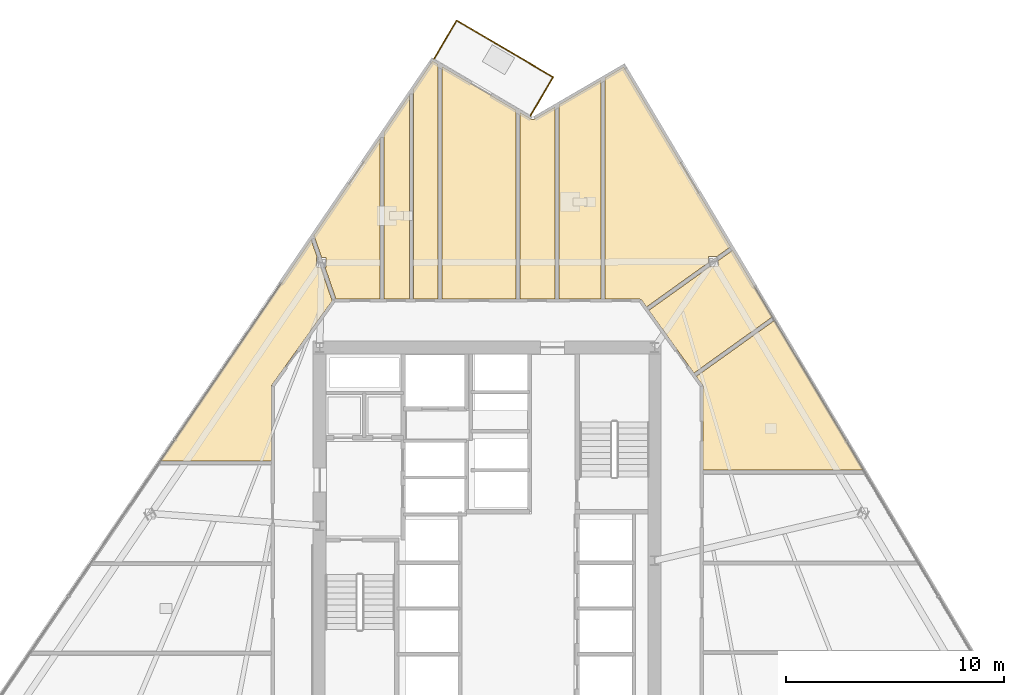
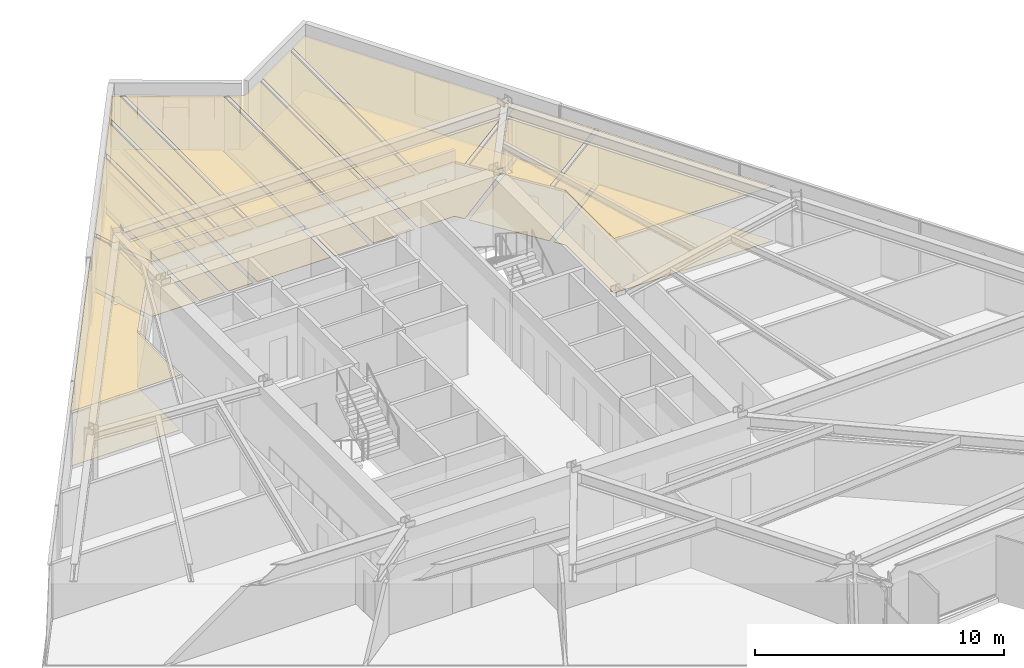
# One storey, part 15 of 16: 20 coverings, 3 railings.
"""IFC4 building model written with IfcOpenShell, lengths in metres."""

from ifc_helpers import new_model, si_unit, direction, frame, origin, origin_2d, place, context, subcontext, project, spatial, polyline, circle, outline, extrude, material, layer, layer_set, type_object, element, save


model = new_model("IFC4")

# Units and contexts
model_context = context("Model", 3, precision=1e-05, world=origin(), true_north=direction((0.0, 1.0)))
body_context = subcontext(model_context, "Body", "Model", "MODEL_VIEW")
ifc_project = project(units=[si_unit("LENGTHUNIT", "METRE"), si_unit("AREAUNIT", "SQUARE_METRE"), si_unit("VOLUMEUNIT", "CUBIC_METRE"), si_unit("PLANEANGLEUNIT", "RADIAN"), si_unit("MASSUNIT", "GRAM", prefix="KILO")], contexts=[model_context])

# Site, building, storey
site_placement = place(None, origin())
site = spatial("IfcSite", under=ifc_project, at=site_placement, CompositionType="ELEMENT")
building_placement = place(site_placement, origin())
building = spatial("IfcBuilding", under=site, at=building_placement, Name="Savorim Split Tower", CompositionType="ELEMENT")
storey_placement = place(building_placement, frame((0.0, 0.0, 66.0)))
storey = spatial("IfcBuildingStorey", under=building, at=storey_placement, Name="L17", CompositionType="ELEMENT", Elevation=66.0)

# Coverings
ifc_material_1 = material(Name="Mineral Fibre Acoustic Ceiling")
ifc_layer_1 = layer(ifc_material_1, 0.02490234375)
ifc_layer_set_1 = layer_set([ifc_layer_1], Name="COV-CEIL-25")
covering_type_1 = type_object("IfcCoveringType", Name="COV-CEIL-25", PredefinedType="CEILING", material=ifc_layer_set_1)
covering_1_placement = place(storey_placement, frame((0.0, 0.0, 2.669921875)))
element("IfcCovering", 1, at=covering_1_placement, inside=storey, type_object=covering_type_1, Name="L17 Community Laundry Room Acoustic Ceiling", PredefinedType="CEILING", context=body_context, shape_type="SweptSolid", body=[
    extrude(outline(polyline([(9.9169921875, 8.4287109375), (9.919189453125, 8.41455078125), (9.919921875, 8.39990234375), (9.919921875, 4.555419921875), (17.298828125, 4.555419921875), (13.2060546875, 11.438720703125), (9.6171875, 8.867431640625), (9.893798828125, 8.4814453125), (9.901611328125, 8.46923828125), (9.908203125, 8.456298828125), (9.913330078125, 8.44287109375), (9.9169921875, 8.4287109375)])), origin(), (0.0, 0.0, 1.0), 0.025146484375),
])
covering_2_placement = place(storey_placement, frame((0.0, 0.0, 2.669921875)))
element("IfcCovering", 2, at=covering_2_placement, inside=storey, type_object=covering_type_1, Name="L17 Quiet Study Room Acoustic Ceiling", PredefinedType="CEILING", context=body_context, shape_type="SweptSolid", body=[
    extrude(outline(polyline([(10.615966796875, 13.917724609375), (10.24560546875, 13.917724609375), (7.439208984375, 11.9072265625), (9.506591796875, 9.021728515625), (13.1083984375, 11.6025390625), (11.287841796875, 14.66455078125), (10.615966796875, 14.18310546875), (10.615966796875, 13.917724609375)])), origin(), (0.0, 0.0, 1.0), 0.025146484375),
])
covering_3_placement = place(storey_placement, frame((0.0, 0.0, 2.669921875)))
element("IfcCovering", 3, at=covering_3_placement, inside=storey, type_object=covering_type_1, Name="L17 Co-Living Bedroom Acoustic Ceiling", PredefinedType="CEILING", context=body_context, shape_type="SweptSolid", body=[
    extrude(outline(polyline([(11.14306640625, 14.79443359375), (11.1904296875, 14.82861328125), (6.276123046875, 23.093017578125), (5.41796875, 22.5927734375), (5.41796875, 12.419921875), (7.0, 12.419921875), (7.01318359375, 12.41943359375), (7.0263671875, 12.41748046875), (7.039306640625, 12.414306640625), (7.052001953125, 12.409912109375), (7.06396484375, 12.404541015625), (7.075439453125, 12.39794921875), (7.086181640625, 12.39013671875), (7.096435546875, 12.381591796875), (7.105712890625, 12.3720703125), (7.11376953125, 12.361572265625), (7.32861328125, 12.0615234375), (10.183837890625, 14.107421875), (10.183837890625, 14.372802734375), (10.554443359375, 14.372802734375), (11.14306640625, 14.79443359375)])), origin(), (0.0, 0.0, 1.0), 0.025146484375),
])
covering_4_placement = place(storey_placement, frame((0.0, 0.0, 2.669921875)))
element("IfcCovering", 4, at=covering_4_placement, inside=storey, type_object=covering_type_1, Name="L17 Shared Bathroom Acoustic Ceiling", PredefinedType="CEILING", context=body_context, shape_type="SweptSolid", body=[
    extrude(outline(polyline([(3.30615234375, 12.419921875), (5.227783203125, 12.419921875), (5.227783203125, 22.48193359375), (3.30615234375, 21.362060546875), (3.30615234375, 12.419921875)])), origin(), (0.0, 0.0, 1.0), 0.025146484375),
])
covering_5_placement = place(storey_placement, frame((0.0, 0.0, 2.669921875)))
element("IfcCovering", 5, at=covering_5_placement, inside=storey, type_object=covering_type_1, Name="L17 Quiet Study Room Acoustic Ceiling", PredefinedType="CEILING", context=body_context, shape_type="SweptSolid", body=[
    extrude(outline(polyline([(2.05859375, 20.683837890625), (2.0478515625, 20.688232421875), (2.03759765625, 20.693603515625), (1.509521484375, 21.00390625), (1.509521484375, 12.419921875), (3.1162109375, 12.419921875), (3.1162109375, 21.251220703125), (2.15869140625, 20.693359375), (2.148681640625, 20.68798828125), (2.137939453125, 20.68359375), (2.126708984375, 20.680419921875), (2.115478515625, 20.67822265625), (2.10400390625, 20.677001953125), (2.09228515625, 20.677001953125), (2.080810546875, 20.67822265625), (2.069580078125, 20.680419921875), (2.05859375, 20.683837890625)])), origin(), (0.0, 0.0, 1.0), 0.025146484375),
])
covering_6_placement = place(storey_placement, frame((0.0, 0.0, 2.669921875)))
element("IfcCovering", 6, at=covering_6_placement, inside=storey, type_object=covering_type_1, Name="L17 Quiet Study Room Acoustic Ceiling", PredefinedType="CEILING", context=body_context, shape_type="SweptSolid", body=[
    extrude(outline(polyline([(-2.07763671875, 12.419921875), (1.3193359375, 12.419921875), (1.3193359375, 21.11572265625), (-2.07763671875, 23.1123046875), (-2.07763671875, 12.419921875)])), origin(), (0.0, 0.0, 1.0), 0.025146484375),
])
covering_7_placement = place(storey_placement, frame((0.0, 0.0, 2.669921875)))
element("IfcCovering", 7, at=covering_7_placement, inside=storey, type_object=covering_type_1, Name="L17 Quiet Study Room Acoustic Ceiling", PredefinedType="CEILING", context=body_context, shape_type="SweptSolid", body=[
    extrude(outline(polyline([(-3.389404296875, 12.419921875), (-2.267578125, 12.419921875), (-2.267578125, 23.223876953125), (-2.510009765625, 23.3662109375), (-3.389404296875, 22.0732421875), (-3.389404296875, 12.419921875)])), origin(), (0.0, 0.0, 1.0), 0.025146484375),
])
covering_8_placement = place(storey_placement, frame((0.0, 0.0, 2.669921875)))
element("IfcCovering", 8, at=covering_8_placement, inside=storey, type_object=covering_type_1, Name="L17 Shared Bathroom Acoustic Ceiling", PredefinedType="CEILING", context=body_context, shape_type="SweptSolid", body=[
    extrude(outline(polyline([(-3.57958984375, 21.7939453125), (-4.74365234375, 20.082763671875), (-4.74365234375, 12.419921875), (-3.57958984375, 12.419921875), (-3.57958984375, 21.7939453125)])), origin(), (0.0, 0.0, 1.0), 0.025146484375),
])
covering_9_placement = place(storey_placement, frame((0.0, 0.0, 2.669921875)))
element("IfcCovering", 9, at=covering_9_placement, inside=storey, type_object=covering_type_1, Name="L17 Quiet Study Room Acoustic Ceiling", PredefinedType="CEILING", context=body_context, shape_type="SweptSolid", body=[
    extrude(outline(polyline([(-7.44921875, 13.868896484375), (-6.957275390625, 12.442626953125), (-6.949462890625, 12.419921875), (-4.93359375, 12.419921875), (-4.93359375, 19.803466796875), (-7.997314453125, 15.300048828125), (-7.94873046875, 15.316650390625), (-7.606201171875, 14.323974609375), (-7.412109375, 14.323974609375), (-7.412109375, 13.868896484375), (-7.44921875, 13.868896484375)])), origin(), (0.0, 0.0, 1.0), 0.025146484375),
])
covering_10_placement = place(storey_placement, frame((0.0, 0.0, 2.669921875)))
element("IfcCovering", 10, at=covering_10_placement, inside=storey, type_object=covering_type_1, Name="L17 Co-Living Bedroom Acoustic Ceiling", PredefinedType="CEILING", context=body_context, shape_type="SweptSolid", body=[
    extrude(outline(polyline([(-9.901611328125, 8.46923828125), (-9.893798828125, 8.4814453125), (-7.125, 12.34619140625), (-7.650146484375, 13.868896484375), (-7.84423828125, 13.868896484375), (-7.84423828125, 14.323974609375), (-7.80712890625, 14.323974609375), (-8.094482421875, 15.15673828125), (-15.0146484375, 4.984130859375), (-9.919921875, 4.984130859375), (-9.919921875, 8.39990234375), (-9.919189453125, 8.41455078125), (-9.9169921875, 8.4287109375), (-9.913330078125, 8.44287109375), (-9.908203125, 8.456298828125), (-9.901611328125, 8.46923828125)])), origin(), (0.0, 0.0, 1.0), 0.025146484375),
])
ifc_material_2 = material(Name="Porcelain Stoneware Flooring", Category="masonry")
ifc_layer_2 = layer(ifc_material_2, 0.02001953125)
ifc_layer_set_2 = layer_set([ifc_layer_2], Name="COV-FLOR-20")
covering_type_2 = type_object("IfcCoveringType", Name="COV-FLOR-20", PredefinedType="FLOORING", material=ifc_layer_set_2)
covering_11_placement = place(storey_placement, origin())
element("IfcCovering", 11, at=covering_11_placement, inside=storey, type_object=covering_type_2, Name="L17 Community Laundry Room Porcelain Flooring", PredefinedType="FLOORING", context=body_context, shape_type="SweptSolid", body=[
    extrude(outline(polyline([(9.9169921875, 8.4287109375), (9.919189453125, 8.41455078125), (9.919921875, 8.39990234375), (9.919921875, 4.555419921875), (17.298828125, 4.555419921875), (13.2060546875, 11.438720703125), (9.6171875, 8.867431640625), (9.893798828125, 8.4814453125), (9.901611328125, 8.46923828125), (9.908203125, 8.456298828125), (9.913330078125, 8.44287109375), (9.9169921875, 8.4287109375)])), origin(), (0.0, 0.0, 1.0), 0.02001953125),
])
covering_12_placement = place(storey_placement, origin())
element("IfcCovering", 12, at=covering_12_placement, inside=storey, type_object=covering_type_2, Name="L17 Quiet Study Room Porcelain Flooring", PredefinedType="FLOORING", context=body_context, shape_type="SweptSolid", body=[
    extrude(outline(polyline([(10.615966796875, 13.917724609375), (10.24560546875, 13.917724609375), (7.439208984375, 11.9072265625), (9.506591796875, 9.021728515625), (13.1083984375, 11.6025390625), (11.287841796875, 14.66455078125), (10.615966796875, 14.18310546875), (10.615966796875, 13.917724609375)])), origin(), (0.0, 0.0, 1.0), 0.02001953125),
])
covering_13_placement = place(storey_placement, origin())
element("IfcCovering", 13, at=covering_13_placement, inside=storey, type_object=covering_type_2, Name="L17 Co-Living Bedroom Porcelain Flooring", PredefinedType="FLOORING", context=body_context, shape_type="SweptSolid", body=[
    extrude(outline(polyline([(11.14306640625, 14.79443359375), (11.1904296875, 14.82861328125), (6.276123046875, 23.093017578125), (5.41796875, 22.5927734375), (5.41796875, 12.419921875), (7.0, 12.419921875), (7.01318359375, 12.41943359375), (7.0263671875, 12.41748046875), (7.039306640625, 12.414306640625), (7.052001953125, 12.409912109375), (7.06396484375, 12.404541015625), (7.075439453125, 12.39794921875), (7.086181640625, 12.39013671875), (7.096435546875, 12.381591796875), (7.105712890625, 12.3720703125), (7.11376953125, 12.361572265625), (7.32861328125, 12.0615234375), (10.183837890625, 14.107421875), (10.183837890625, 14.372802734375), (10.554443359375, 14.372802734375), (11.14306640625, 14.79443359375)])), origin(), (0.0, 0.0, 1.0), 0.02001953125),
])
covering_14_placement = place(storey_placement, origin())
element("IfcCovering", 14, at=covering_14_placement, inside=storey, type_object=covering_type_2, Name="L17 Shared Bathroom Porcelain Flooring", PredefinedType="FLOORING", context=body_context, shape_type="SweptSolid", body=[
    extrude(outline(polyline([(3.30615234375, 12.419921875), (5.227783203125, 12.419921875), (5.227783203125, 22.48193359375), (3.30615234375, 21.362060546875), (3.30615234375, 12.419921875)])), origin(), (0.0, 0.0, 1.0), 0.02001953125),
])
covering_15_placement = place(storey_placement, origin())
element("IfcCovering", 15, at=covering_15_placement, inside=storey, type_object=covering_type_2, Name="L17 Quiet Study Room Porcelain Flooring", PredefinedType="FLOORING", context=body_context, shape_type="SweptSolid", body=[
    extrude(outline(polyline([(2.05859375, 20.683837890625), (2.0478515625, 20.688232421875), (2.03759765625, 20.693603515625), (1.509521484375, 21.00390625), (1.509521484375, 12.419921875), (3.1162109375, 12.419921875), (3.1162109375, 21.251220703125), (2.15869140625, 20.693359375), (2.148681640625, 20.68798828125), (2.137939453125, 20.68359375), (2.126708984375, 20.680419921875), (2.115478515625, 20.67822265625), (2.10400390625, 20.677001953125), (2.09228515625, 20.677001953125), (2.080810546875, 20.67822265625), (2.069580078125, 20.680419921875), (2.05859375, 20.683837890625)])), origin(), (0.0, 0.0, 1.0), 0.02001953125),
])
covering_16_placement = place(storey_placement, origin())
element("IfcCovering", 16, at=covering_16_placement, inside=storey, type_object=covering_type_2, Name="L17 Quiet Study Room Porcelain Flooring", PredefinedType="FLOORING", context=body_context, shape_type="SweptSolid", body=[
    extrude(outline(polyline([(-2.07763671875, 12.419921875), (1.3193359375, 12.419921875), (1.3193359375, 21.11572265625), (-2.07763671875, 23.1123046875), (-2.07763671875, 12.419921875)])), origin(), (0.0, 0.0, 1.0), 0.02001953125),
])
covering_17_placement = place(storey_placement, origin())
element("IfcCovering", 17, at=covering_17_placement, inside=storey, type_object=covering_type_2, Name="L17 Quiet Study Room Porcelain Flooring", PredefinedType="FLOORING", context=body_context, shape_type="SweptSolid", body=[
    extrude(outline(polyline([(-3.389404296875, 12.419921875), (-2.267578125, 12.419921875), (-2.267578125, 23.223876953125), (-2.510009765625, 23.3662109375), (-3.389404296875, 22.0732421875), (-3.389404296875, 12.419921875)])), origin(), (0.0, 0.0, 1.0), 0.02001953125),
])
covering_18_placement = place(storey_placement, origin())
element("IfcCovering", 18, at=covering_18_placement, inside=storey, type_object=covering_type_2, Name="L17 Shared Bathroom Porcelain Flooring", PredefinedType="FLOORING", context=body_context, shape_type="SweptSolid", body=[
    extrude(outline(polyline([(-3.57958984375, 21.7939453125), (-4.74365234375, 20.082763671875), (-4.74365234375, 12.419921875), (-3.57958984375, 12.419921875), (-3.57958984375, 21.7939453125)])), origin(), (0.0, 0.0, 1.0), 0.02001953125),
])
covering_19_placement = place(storey_placement, origin())
element("IfcCovering", 19, at=covering_19_placement, inside=storey, type_object=covering_type_2, Name="L17 Quiet Study Room Porcelain Flooring", PredefinedType="FLOORING", context=body_context, shape_type="SweptSolid", body=[
    extrude(outline(polyline([(-7.44921875, 13.868896484375), (-6.957275390625, 12.442626953125), (-6.949462890625, 12.419921875), (-4.93359375, 12.419921875), (-4.93359375, 19.803466796875), (-7.997314453125, 15.300048828125), (-7.94873046875, 15.316650390625), (-7.606201171875, 14.323974609375), (-7.412109375, 14.323974609375), (-7.412109375, 13.868896484375), (-7.44921875, 13.868896484375)])), origin(), (0.0, 0.0, 1.0), 0.02001953125),
])
covering_20_placement = place(storey_placement, origin())
element("IfcCovering", 20, at=covering_20_placement, inside=storey, type_object=covering_type_2, Name="L17 Co-Living Bedroom Porcelain Flooring", PredefinedType="FLOORING", context=body_context, shape_type="SweptSolid", body=[
    extrude(outline(polyline([(-9.901611328125, 8.46923828125), (-9.893798828125, 8.4814453125), (-7.125, 12.34619140625), (-7.650146484375, 13.868896484375), (-7.84423828125, 13.868896484375), (-7.84423828125, 14.323974609375), (-7.80712890625, 14.323974609375), (-8.094482421875, 15.15673828125), (-15.0146484375, 4.984130859375), (-9.919921875, 4.984130859375), (-9.919921875, 8.39990234375), (-9.919189453125, 8.41455078125), (-9.9169921875, 8.4287109375), (-9.913330078125, 8.44287109375), (-9.908203125, 8.456298828125), (-9.901611328125, 8.46923828125)])), origin(), (0.0, 0.0, 1.0), 0.02001953125),
])

# Railings
ifc_material_3 = material(Name="Galvanised Painted Steel Balustrade", Category="steel")
railing_type = type_object("IfcRailingType", Name="RLG-BAL-1100", PredefinedType="BALUSTRADE", material=ifc_material_3)
railing_1_placement = place(storey_placement, frame((-2.4423828125, 23.4658203125, 0.0)))
element("IfcRailing", 21, at=railing_1_placement, inside=storey, type_object=railing_type, Name="L17 Tree Balcony Guardrail N-1", PredefinedType="BALUSTRADE", context=body_context, shape_type="SweptSolid", body=[
    extrude(circle(Radius=0.02392578125, at=origin_2d()), frame((0.0, 0.0, 1.076171875), z_axis=(0.50664533146, 0.862154573211, 0.0), x_axis=(-0.862154573211, 0.50664533146, 0.0)), (0.0, 0.0, 1.0), 2.0498046875),
    extrude(circle(Radius=0.02099609375, at=origin_2d()), origin(), (0.0, 0.0, 1.0), 1.052001953125),
    extrude(circle(Radius=0.02099609375, at=origin_2d()), frame((0.519287109375, 0.8837890625, 0.0)), (0.0, 0.0, 1.0), 1.052001953125),
    extrude(circle(Radius=0.02099609375, at=origin_2d()), frame((1.03857421875, 1.767333984375, 0.0)), (0.0, 0.0, 1.0), 1.052001953125),
])
railing_2_placement = place(storey_placement, frame((-1.40380859375, 25.233154296875, 0.0)))
element("IfcRailing", 22, at=railing_2_placement, inside=storey, type_object=railing_type, Name="L17 Tree Balcony Guardrail N-2", PredefinedType="BALUSTRADE", context=body_context, shape_type="SweptSolid", body=[
    extrude(circle(Radius=0.02392578125, at=origin_2d()), frame((0.0, 0.0, 1.076171875), z_axis=(0.862136558462, -0.506675985777, 0.0), x_axis=(0.506675985777, 0.862136558462, 0.0)), (0.0, 0.0, 1.0), 5.147216796875),
    extrude(circle(Radius=0.02099609375, at=origin_2d()), origin(), (0.0, 0.0, 1.0), 1.052001953125),
    extrude(circle(Radius=0.02099609375, at=origin_2d()), frame((0.887451171875, -0.521484375, 0.0)), (0.0, 0.0, 1.0), 1.052001953125),
    extrude(circle(Radius=0.02099609375, at=origin_2d()), frame((1.77490234375, -1.043212890625, 0.0)), (0.0, 0.0, 1.0), 1.052001953125),
    extrude(circle(Radius=0.02099609375, at=origin_2d()), frame((2.66259765625, -1.564697265625, 0.0)), (0.0, 0.0, 1.0), 1.052001953125),
    extrude(circle(Radius=0.02099609375, at=origin_2d()), frame((3.550048828125, -2.08642578125, 0.0)), (0.0, 0.0, 1.0), 1.052001953125),
    extrude(circle(Radius=0.02099609375, at=origin_2d()), frame((4.4375, -2.60791015625, 0.0)), (0.0, 0.0, 1.0), 1.052001953125),
])
railing_3_placement = place(storey_placement, frame((3.03369140625, 22.625244140625, 0.0)))
element("IfcRailing", 23, at=railing_3_placement, inside=storey, type_object=railing_type, Name="L17 Tree Balcony Guardrail N-3", PredefinedType="BALUSTRADE", context=body_context, shape_type="SweptSolid", body=[
    extrude(circle(Radius=0.02392578125, at=origin_2d()), frame((0.0, 0.0, 1.076171875), z_axis=(-0.506733850669, -0.862102548764, 0.0), x_axis=(0.862102548764, -0.506733850669, 0.0)), (0.0, 0.0, 1.0), 2.050048828125),
    extrude(circle(Radius=0.02099609375, at=origin_2d()), origin(), (0.0, 0.0, 1.0), 1.052001953125),
    extrude(circle(Radius=0.02099609375, at=origin_2d()), frame((-0.51953125, -0.8837890625, 0.0)), (0.0, 0.0, 1.0), 1.052001953125),
    extrude(circle(Radius=0.02099609375, at=origin_2d()), frame((-1.038818359375, -1.767333984375, 0.0)), (0.0, 0.0, 1.0), 1.052001953125),
])

save(model, "model.ifc")
